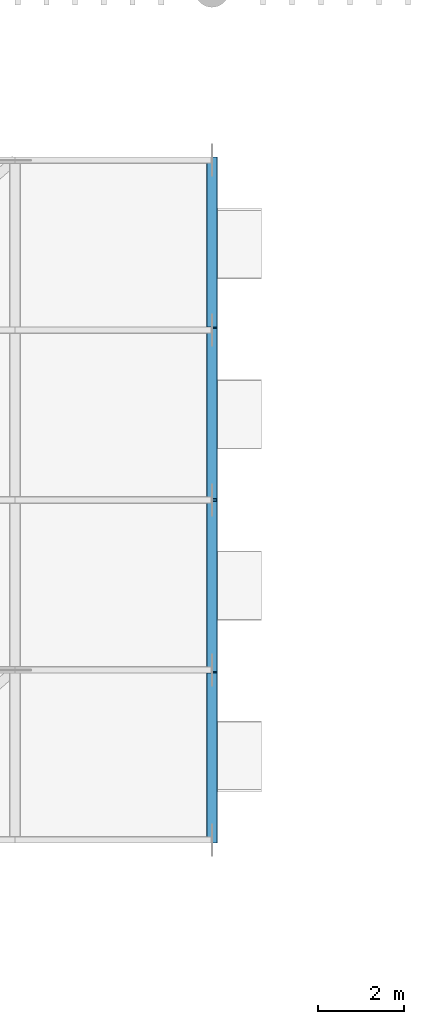
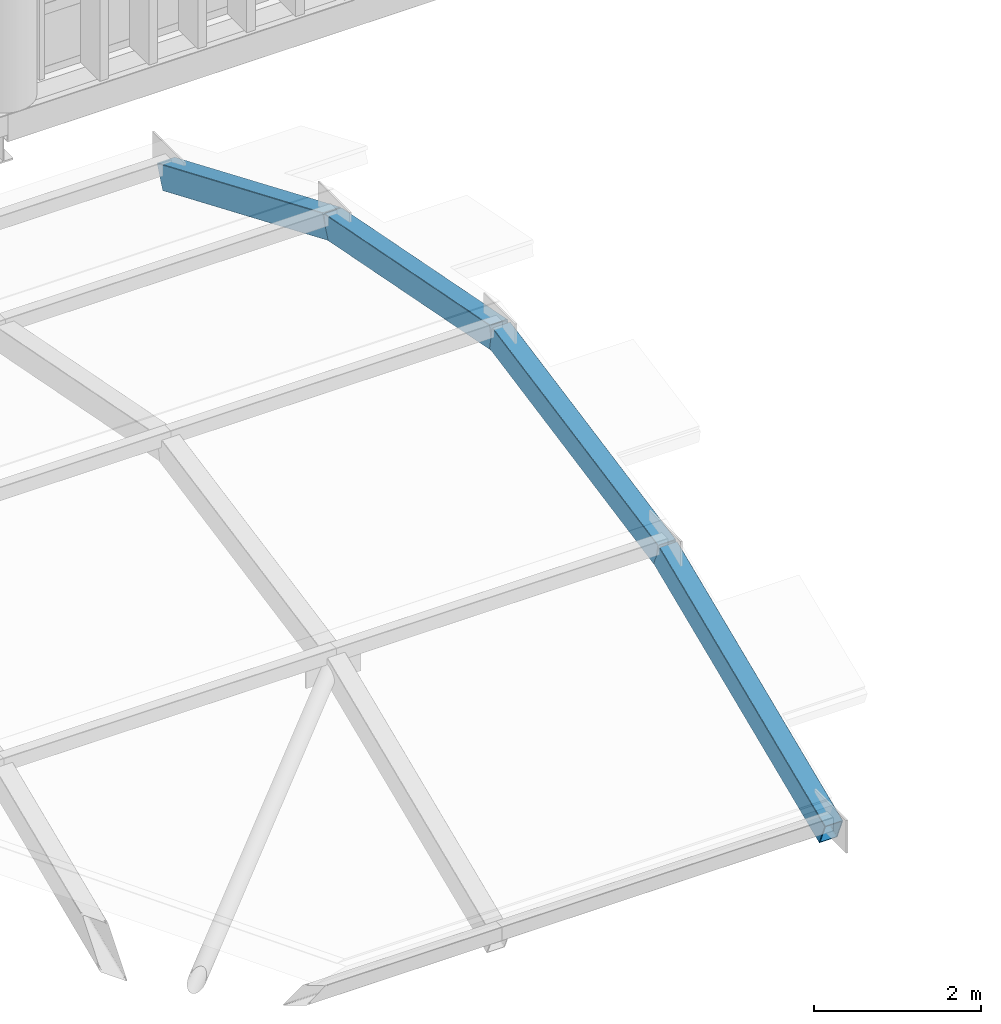
# One storey, part 17 of 94: 4 beams.
"""IFC4 building model written with IfcOpenShell, lengths in metres."""

from ifc_helpers import new_model, si_unit, direction, frame, origin_with_axes, origin_2d_with_axis, place, context, subcontext, project, spatial, hollow_rectangle, extrude, material, material_profile, profile_set, type_object, element, save


model = new_model("IFC4")

# Units and contexts
model_context = context("Model", 3, precision=1e-05, world=origin_with_axes(), true_north=direction((0.0, 1.0)))
body_context = subcontext(model_context, "Body", "Model", "MODEL_VIEW")
ifc_project = project(units=[si_unit("LENGTHUNIT", "METRE"), si_unit("AREAUNIT", "SQUARE_METRE"), si_unit("VOLUMEUNIT", "CUBIC_METRE"), si_unit("PLANEANGLEUNIT", "RADIAN"), si_unit("MASSUNIT", "GRAM", prefix="KILO"), si_unit("THERMODYNAMICTEMPERATUREUNIT", "KELVIN")], contexts=[model_context])

# Site, building, storey
site_placement = place(None, origin_with_axes())
site = spatial("IfcSite", under=ifc_project, at=site_placement, CompositionType="ELEMENT")
building_placement = place(site_placement, origin_with_axes())
building = spatial("IfcBuilding", under=site, at=building_placement, Name="Montbau Bow Law Courts", CompositionType="ELEMENT")
storey_placement = place(building_placement, frame((0.0, 0.0, 15.6), z_axis=(0.0, 0.0, 1.0), x_axis=(1.0, 0.0, 0.0)))
storey = spatial("IfcBuildingStorey", under=building, at=storey_placement, Name="L03", CompositionType="ELEMENT", Elevation=15.6)

# Beams
ifc_material = material(Name="Steel CSA G40.21 Grade 350WT (350 MPa)", Category="steel")
ifc_material_profile = material_profile(ifc_material, hollow_rectangle(XDim=0.254, YDim=0.356, WallThickness=0.0127, InnerFilletRadius=0.0254, OuterFilletRadius=0.0127, at=origin_2d_with_axis()), Name="HSS356X254X13", Category="Main", Priority=0)
ifc_profile_set = profile_set([ifc_material_profile], Name="Steel CSA G40.21 Grade 350WT (350 MPa)")
beam_type = type_object("IfcBeamType", Name="B-ARC-01", PredefinedType="USERDEFINED", material=ifc_profile_set)
beam_1_placement = place(None, frame((39.0, 10.767, 16.836), z_axis=(0.0, 0.921210714, 0.389064031), x_axis=(-1.0, 0.0, 0.0)))
element("IfcBeam", 1, at=beam_1_placement, inside=storey, type_object=beam_type, Name="Barrel vault roof truss arch rib V1-044", ObjectType="ARCH_RIB", PredefinedType="USERDEFINED", context=body_context, shape_type="SweptSolid", body=[
    extrude(hollow_rectangle(XDim=0.254, YDim=0.356, WallThickness=0.0127, InnerFilletRadius=0.0254, OuterFilletRadius=0.0127, at=origin_2d_with_axis()), origin_with_axes(), (0.0, 0.0, 1.0), 4.305204),
])
for number, where, z_axis, x_axis, name in (
    (2, (39.0, 14.733, 18.511), (0.0, 0.981492861, 0.191498733), (-1.0, 0.0, 0.0), "Barrel vault roof truss arch rib V1-045"),
    (3, (39.0, 18.7, 19.285), (0.0, 0.981492861, -0.191498733), (-1.0, 0.0, 0.0), "Barrel vault roof truss arch rib V1-046"),
):
    element("IfcBeam", number, at=place(None, frame(where, z_axis=z_axis, x_axis=x_axis)), inside=storey, type_object=beam_type, Name=name, ObjectType="ARCH_RIB", PredefinedType="USERDEFINED", context=body_context, shape_type="SweptSolid", body=[
        extrude(hollow_rectangle(XDim=0.254, YDim=0.356, WallThickness=0.0127, InnerFilletRadius=0.0254, OuterFilletRadius=0.0127, at=origin_2d_with_axis()), origin_with_axes(), (0.0, 0.0, 1.0), 4.041802),
    ])
beam_2_placement = place(None, frame((39.0, 22.667, 18.511), z_axis=(0.0, 0.921210714, -0.389064031), x_axis=(-1.0, 0.0, 0.0)))
element("IfcBeam", 4, at=beam_2_placement, inside=storey, type_object=beam_type, Name="Barrel vault roof truss arch rib V1-047", ObjectType="ARCH_RIB", PredefinedType="USERDEFINED", context=body_context, shape_type="SweptSolid", body=[
    extrude(hollow_rectangle(XDim=0.254, YDim=0.356, WallThickness=0.0127, InnerFilletRadius=0.0254, OuterFilletRadius=0.0127, at=origin_2d_with_axis()), origin_with_axes(), (0.0, 0.0, 1.0), 4.305204),
])

save(model, "model.ifc")
